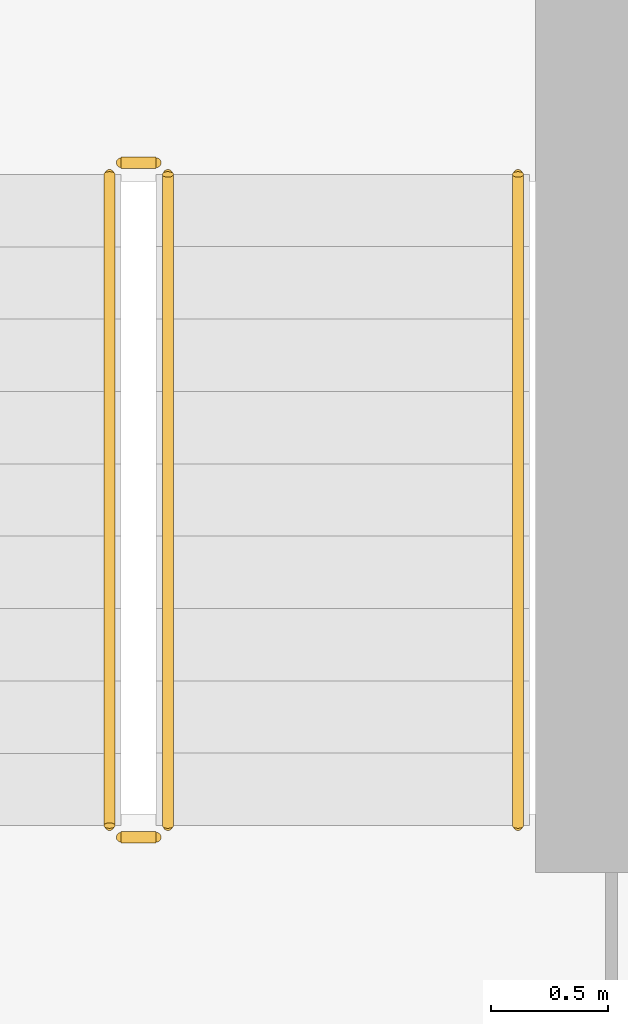
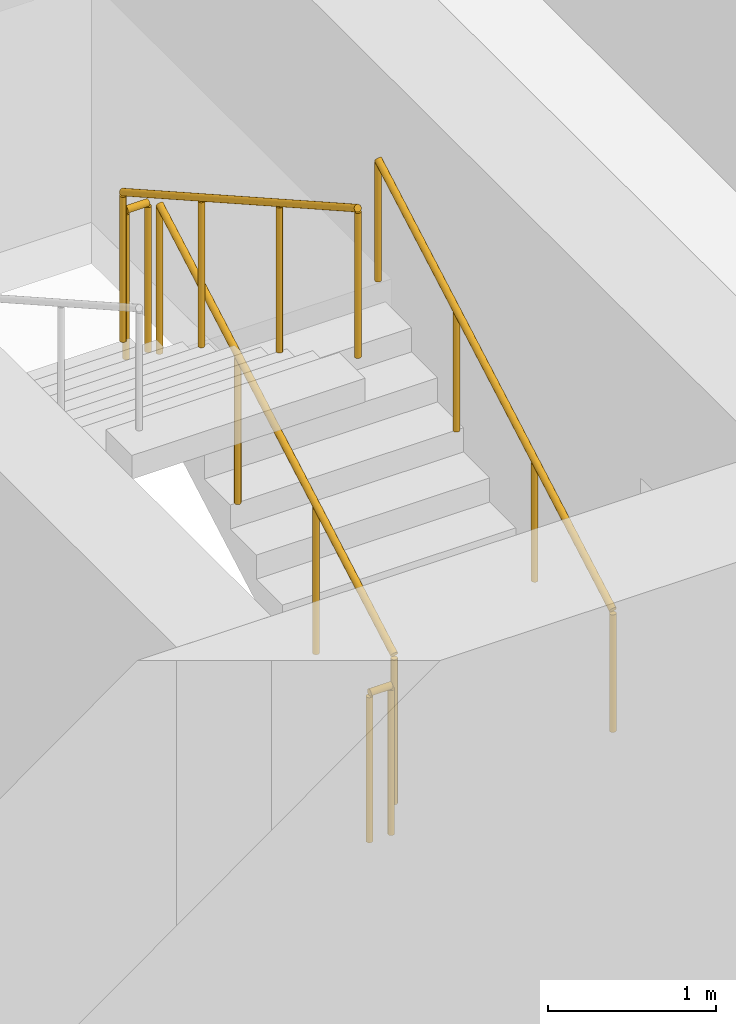
# One storey, part 20 of 22: 5 railings.
"""IFC4 building model written with IfcOpenShell, lengths in metres."""

import ifcopenshell
import ifcopenshell.guid

model = None  # the IFC model being written
_history = None  # IfcOwnerHistory: only IFC2X3 demands one
_inside = {}  # id of a spatial element -> (the spatial element, [elements in it])
_under = {}  # id of a project, library or spatial element -> (it, [spatial elements below it])
_declared = {}  # id of a project -> (the project, [libraries it declares])
_typed = {}  # id of a type object -> (the type object, [elements of that type])
_made_of = {}  # id of a material, layer set ... -> (it, [elements and type objects made of it])


def new_model(schema):
    """Start an empty IFC model of exactly this schema.

    Asked for "IFC4X3", IfcOpenShell would pick the latest addendum, in which some entities
    have other attributes; the version numbers below select the first issue.
    IFC2X3 requires an IfcOwnerHistory on every rooted entity: one is made here for all.
    """
    global model, _history
    if schema == "IFC4X3":
        model = ifcopenshell.file(schema_version=(4, 3, 0, 0))
    else:
        model = ifcopenshell.file(schema=schema)
    _inside.clear()
    _under.clear()
    _declared.clear()
    _typed.clear()
    _made_of.clear()
    _history = None
    if model.schema == "IFC2X3":
        org = make("IfcOrganization", Name="unknown")
        user = make(
            "IfcPersonAndOrganization",
            ThePerson=make("IfcPerson", FamilyName="unknown"),
            TheOrganization=org,
        )
        app = make(
            "IfcApplication",
            ApplicationDeveloper=org,
            Version="unknown",
            ApplicationFullName="unknown",
            ApplicationIdentifier="unknown",
        )
        _history = make(
            "IfcOwnerHistory",
            OwningUser=user,
            OwningApplication=app,
            ChangeAction="ADDED",
            CreationDate=0,
        )
    return model


def make(cls, **values):
    """One entity of the class cls with the attributes given. An attribute that is None is left unset."""
    return model.create_entity(
        cls, **{name: value for name, value in values.items() if value is not None}
    )


def rooted(cls, **values):
    """An entity with a GlobalId (a new one), such as an element, a storey or a relation."""
    return make(cls, GlobalId=ifcopenshell.guid.new(), OwnerHistory=_history, **values)


def si_unit(unit_type, name, prefix=None):
    """IfcSIUnit, for example si_unit("LENGTHUNIT", "METRE", prefix="MILLI")."""
    return make("IfcSIUnit", UnitType=unit_type, Prefix=prefix, Name=name)


def assignment(units):
    """IfcUnitAssignment: the units of a project."""
    return None if units is None else make("IfcUnitAssignment", Units=units)


def point(xyz):
    """IfcCartesianPoint."""
    return None if xyz is None else make("IfcCartesianPoint", Coordinates=xyz)


def direction(xyz):
    """IfcDirection."""
    return None if xyz is None else make("IfcDirection", DirectionRatios=xyz)


def frame(location, z_axis=None, x_axis=None):
    """IfcAxis2Placement3D, a coordinate frame: its origin and axes. An axis left out is left unset."""
    return make(
        "IfcAxis2Placement3D",
        Location=point(location),
        Axis=direction(z_axis),
        RefDirection=direction(x_axis),
    )


def frame_2d(location, x_axis=None):
    """IfcAxis2Placement2D, a coordinate frame in the plane: its origin and x axis."""
    return make(
        "IfcAxis2Placement2D", Location=point(location), RefDirection=direction(x_axis)
    )


def origin():
    """The frame at (0, 0, 0) with its axes left unset."""
    return frame((0.0, 0.0, 0.0))


def origin_2d():
    """The frame at (0, 0) in the plane with its x axis left unset."""
    return frame_2d((0.0, 0.0))


def place(relative_to, where):
    """IfcLocalPlacement: puts the frame where relative to a parent placement (None: the world)."""
    return make(
        "IfcLocalPlacement", PlacementRelTo=relative_to, RelativePlacement=where
    )


def context(
    kind, dimensions, precision=None, world=None, true_north=None, identifier=None
):
    """IfcGeometricRepresentationContext, for example the 3D "Model" context."""
    return make(
        "IfcGeometricRepresentationContext",
        ContextIdentifier=identifier,
        ContextType=kind,
        CoordinateSpaceDimension=dimensions,
        Precision=precision,
        WorldCoordinateSystem=world,
        TrueNorth=true_north,
    )


def subcontext(parent, identifier, kind, view, scale=None):
    """IfcGeometricRepresentationSubContext, for example "Body" below "Model"."""
    return make(
        "IfcGeometricRepresentationSubContext",
        ContextIdentifier=identifier,
        ContextType=kind,
        ParentContext=parent,
        TargetScale=scale,
        TargetView=view,
    )


def project(units=None, contexts=None):
    """IfcProject with its units and contexts."""
    return rooted(
        "IfcProject",
        Name="project",
        RepresentationContexts=contexts,
        UnitsInContext=assignment(units),
    )


def spatial(cls, under=None, at=None, **own):
    """A site, building, storey or space (cls), placed at a placement, below another one or the project."""
    s = rooted(cls, ObjectPlacement=at, **own)
    if under is not None:
        _under.setdefault(under.id(), (under, []))[1].append(s)
    return s


def profile(cls, at=None, kind="AREA", **sizes):
    """A parametric profile (cls). Its sizes go by their IFC names, for example OverallWidth=200.0."""
    return make(cls, ProfileType=kind, Position=at, **sizes)


def circle(**sizes):
    """IfcCircleProfileDef."""
    return profile("IfcCircleProfileDef", **sizes)


def extrude(swept, where, along, depth):
    """IfcExtrudedAreaSolid: the profile swept, set in the frame where, extruded along a direction by depth."""
    return make(
        "IfcExtrudedAreaSolid",
        SweptArea=swept,
        Position=where,
        ExtrudedDirection=direction(along),
        Depth=depth,
    )


def shape(context_of_items, identifier, shape_type, items):
    """IfcShapeRepresentation: the items that make up one representation, for example the "Body"."""
    return make(
        "IfcShapeRepresentation",
        ContextOfItems=context_of_items,
        RepresentationIdentifier=identifier,
        RepresentationType=shape_type,
        Items=items,
    )


def material(Name=None, Category=None):
    """IfcMaterial."""
    return make("IfcMaterial", Name=Name, Category=Category)


def made_of(thing, what):
    """Note that an element or type object is made of a material, layer set ...; save() writes the relation."""
    if what is not None:
        _made_of.setdefault(what.id(), (what, []))[1].append(thing)
    return thing


def type_object(cls, material=None, **own):
    """A type object (cls), such as IfcWallType, which elements share."""
    return made_of(rooted(cls, **own), material)


def element(
    cls,
    number,
    at=None,
    inside=None,
    cuts=None,
    type_object=None,
    material=None,
    context=None,
    identifier="Body",
    shape_type=None,
    held_by="IfcProductDefinitionShape",
    body=None,
    shapes=None,
    **own,
):
    """One element of the class cls, such as IfcWall. Its Tag is "e" and its number.

    at: its placement. inside: the storey or other place that contains it. cuts: it is an
    opening in that element (IfcRelVoidsElement). A single representation is given by context,
    identifier, shape_type and body (its items); several are given by shapes. held_by: the class
    of the entity that holds the representations. save() writes the other relations.
    """
    e = rooted(cls, Tag="e%d" % number, ObjectPlacement=at, **own)
    if body is not None:
        shapes = [shape(context, identifier, shape_type, body)]
    if shapes is not None:
        e.Representation = make(held_by, Representations=shapes)
    if inside is not None:
        _inside.setdefault(inside.id(), (inside, []))[1].append(e)
    if cuts is not None:
        rooted(
            "IfcRelVoidsElement", RelatingBuildingElement=cuts, RelatedOpeningElement=e
        )
    if type_object is not None:
        _typed.setdefault(type_object.id(), (type_object, []))[1].append(e)
    return made_of(e, material)


def aggregate(whole, parts):
    """IfcRelAggregates: a whole, such as a stair, and the parts it consists of."""
    return rooted("IfcRelAggregates", RelatingObject=whole, RelatedObjects=parts)


def save(model, path):
    """Write the relations noted so far, then the file.

    IfcRelAggregates (storeys below a building ...), IfcRelContainedInSpatialStructure (elements
    in a storey), IfcRelDefinesByType, IfcRelAssociatesMaterial and IfcRelDeclares: one each for
    every whole, place, type object, material and project.
    """
    for whole, parts in _under.values():
        aggregate(whole, parts)
    for where, things in _inside.values():
        rooted(
            "IfcRelContainedInSpatialStructure",
            RelatedElements=things,
            RelatingStructure=where,
        )
    for kind, things in _typed.values():
        rooted("IfcRelDefinesByType", RelatedObjects=things, RelatingType=kind)
    for what, things in _made_of.values():
        rooted("IfcRelAssociatesMaterial", RelatedObjects=things, RelatingMaterial=what)
    for by, libraries in _declared.values():
        rooted("IfcRelDeclares", RelatingContext=by, RelatedDefinitions=libraries)
    model.write(path)


model = new_model("IFC4")

# Units and contexts
model_context = context("Model", 3, precision=1e-05, world=origin(), true_north=direction((0.0, 1.0)))
body_context = subcontext(model_context, "Body", "Model", "MODEL_VIEW")
ifc_project = project(units=[si_unit("LENGTHUNIT", "METRE"), si_unit("AREAUNIT", "SQUARE_METRE"), si_unit("VOLUMEUNIT", "CUBIC_METRE"), si_unit("PLANEANGLEUNIT", "RADIAN"), si_unit("MASSUNIT", "GRAM", prefix="KILO")], contexts=[model_context])

# Site, building, storey
site_placement = place(None, origin())
site = spatial("IfcSite", under=ifc_project, at=site_placement, CompositionType="ELEMENT")
building_placement = place(site_placement, origin())
building = spatial("IfcBuilding", under=site, at=building_placement, Name="Madar Terraces", CompositionType="ELEMENT")
storey_placement = place(building_placement, frame((0.0, 0.0, 76.800048828125)))
storey = spatial("IfcBuildingStorey", under=building, at=storey_placement, Name="L19", CompositionType="ELEMENT", Elevation=76.800048828125)

# Railings
ifc_material_1 = material(Name="Stainless steel railing", Category="steel")
railing_type_1 = type_object("IfcRailingType", Name="Stair guard 1100", PredefinedType="GUARDRAIL", material=ifc_material_1)
railing_1_placement = place(storey_placement, frame((41.449951171875, 17.60009765625, 0.175048828125)))
element("IfcRailing", 1, at=railing_1_placement, inside=storey, type_object=railing_type_1, Name="L19 ST3 stair guard 1", PredefinedType="GUARDRAIL", context=body_context, shape_type="SweptSolid", body=[
    extrude(circle(Radius=0.02392578125, at=origin_2d()), frame((0.0, 0.0, 1.076171875), z_axis=(0.0, 0.870815363784, 0.491610213684), x_axis=(-1.0, 0.0, 0.0)), (0.0, 0.0, 1.0), 3.20361328125),
    extrude(circle(Radius=0.02099609375, at=origin_2d()), origin(), (0.0, 0.0, 1.0), 1.052001953125),
    extrude(circle(Radius=0.02099609375, at=origin_2d()), frame((0.0, 0.929931640625, 0.52490234375)), (0.0, 0.0, 1.0), 1.052001953125),
    extrude(circle(Radius=0.02099609375, at=origin_2d()), frame((0.0, 1.85986328125, 1.050048828125)), (0.0, 0.0, 1.0), 1.052001953125),
    extrude(circle(Radius=0.02099609375, at=origin_2d()), frame((0.0, 2.789794921875, 1.574951171875)), (0.0, 0.0, 1.0), 1.052001953125),
])
railing_2_placement = place(storey_placement, frame((41.39990234375, 20.43994140625, 1.75)))
element("IfcRailing", 2, at=railing_2_placement, inside=storey, type_object=railing_type_1, Name="L19 ST3 stair guard 2", PredefinedType="GUARDRAIL", context=body_context, shape_type="SweptSolid", body=[
    extrude(circle(Radius=0.02392578125, at=origin_2d()), frame((0.0, 0.0, 1.076171875), z_axis=(-1.0, 0.0, 0.0), x_axis=(0.0, -1.0, 0.0)), (0.0, 0.0, 1.0), 0.14990234375),
    extrude(circle(Radius=0.02099609375, at=origin_2d()), origin(), (0.0, 0.0, 1.0), 1.052001953125),
    extrude(circle(Radius=0.02099609375, at=origin_2d()), frame((-0.14990234375, 0.0, 0.0)), (0.0, 0.0, 1.0), 1.052001953125),
])
railing_3_placement = place(storey_placement, frame((41.199951171875, 20.389892578125, 1.925048828125)))
element("IfcRailing", 3, at=railing_3_placement, inside=storey, type_object=railing_type_1, Name="L19 ST3 stair guard 3", PredefinedType="GUARDRAIL", context=body_context, shape_type="SweptSolid", body=[
    extrude(circle(Radius=0.02392578125, at=origin_2d()), frame((0.0, 0.0, 1.076171875), z_axis=(0.0, -0.870815363784, 0.491610213684), x_axis=(1.0, 0.0, 0.0)), (0.0, 0.0, 1.0), 3.20361328125),
    extrude(circle(Radius=0.02099609375, at=origin_2d()), origin(), (0.0, 0.0, 1.0), 1.052001953125),
    extrude(circle(Radius=0.02099609375, at=origin_2d()), frame((0.0, -0.929931640625, 0.52490234375)), (0.0, 0.0, 1.0), 1.052001953125),
    extrude(circle(Radius=0.02099609375, at=origin_2d()), frame((0.0, -1.85986328125, 1.050048828125)), (0.0, 0.0, 1.0), 1.052001953125),
    extrude(circle(Radius=0.02099609375, at=origin_2d()), frame((0.0, -2.789794921875, 1.574951171875)), (0.0, 0.0, 1.0), 1.052001953125),
])
railing_4_placement = place(storey_placement, frame((41.39990234375, 17.550048828125, 0.0)))
element("IfcRailing", 4, at=railing_4_placement, inside=storey, type_object=railing_type_1, Name="L19 ST3 stair guard 4", PredefinedType="GUARDRAIL", context=body_context, shape_type="SweptSolid", body=[
    extrude(circle(Radius=0.02392578125, at=origin_2d()), frame((0.0, 0.0, 1.076171875), z_axis=(-1.0, 0.0, 0.0), x_axis=(0.0, -1.0, 0.0)), (0.0, 0.0, 1.0), 0.14990234375),
    extrude(circle(Radius=0.02099609375, at=origin_2d()), origin(), (0.0, 0.0, 1.0), 1.052001953125),
    extrude(circle(Radius=0.02099609375, at=origin_2d()), frame((-0.14990234375, 0.0, 0.0)), (0.0, 0.0, 1.0), 1.052001953125),
])
ifc_material_2 = material(Name="Stainless steel railing", Category="steel")
railing_type_2 = type_object("IfcRailingType", Name="Stair handrail 900", PredefinedType="HANDRAIL", material=ifc_material_2)
railing_5_placement = place(storey_placement, frame((42.949951171875, 17.60009765625, 0.175048828125)))
element("IfcRailing", 5, at=railing_5_placement, inside=storey, type_object=railing_type_2, Name="L19 ST3 stair handrail 1", PredefinedType="HANDRAIL", context=body_context, shape_type="SweptSolid", body=[
    extrude(circle(Radius=0.02392578125, at=origin_2d()), frame((0.0, 0.0, 0.8759765625), z_axis=(0.0, 0.870815363784, 0.491610213684), x_axis=(-1.0, 0.0, 0.0)), (0.0, 0.0, 1.0), 3.20361328125),
    extrude(circle(Radius=0.02099609375, at=origin_2d()), origin(), (0.0, 0.0, 1.0), 0.851806640625),
    extrude(circle(Radius=0.02099609375, at=origin_2d()), frame((0.0, 0.929931640625, 0.52490234375)), (0.0, 0.0, 1.0), 0.851806640625),
    extrude(circle(Radius=0.02099609375, at=origin_2d()), frame((0.0, 1.85986328125, 1.050048828125)), (0.0, 0.0, 1.0), 0.851806640625),
    extrude(circle(Radius=0.02099609375, at=origin_2d()), frame((0.0, 2.789794921875, 1.574951171875)), (0.0, 0.0, 1.0), 0.851806640625),
])

save(model, "model.ifc")
